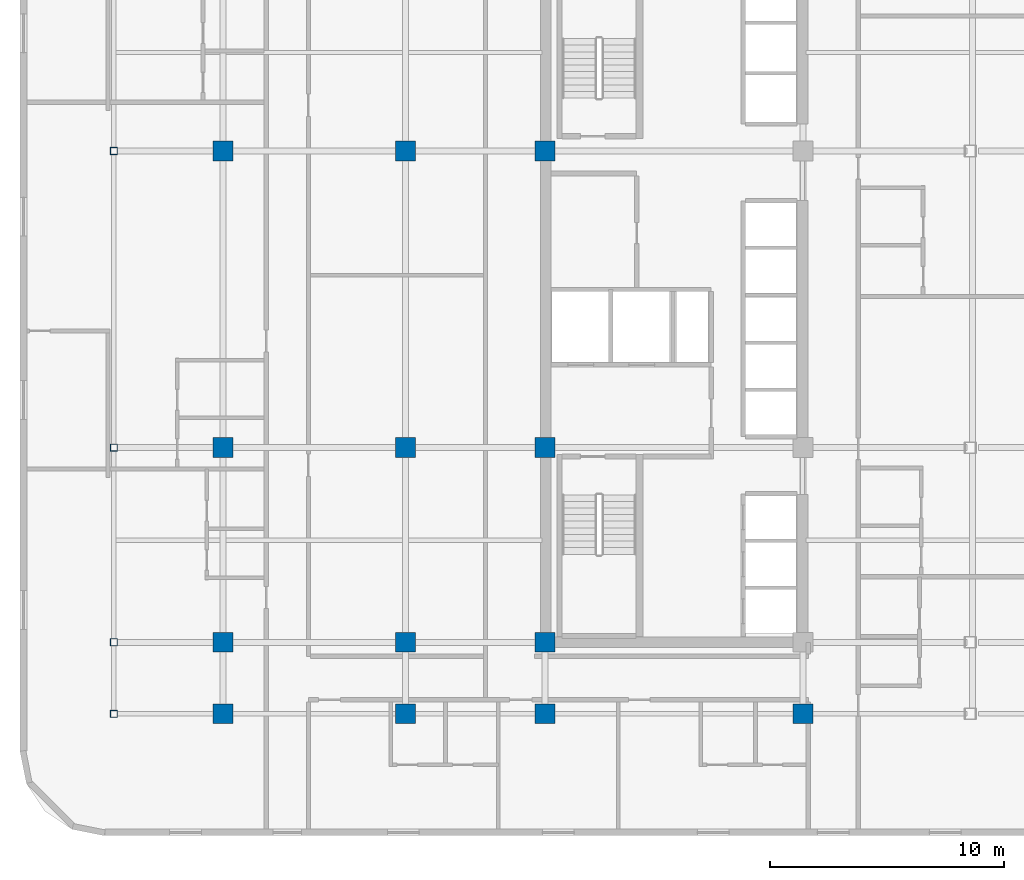
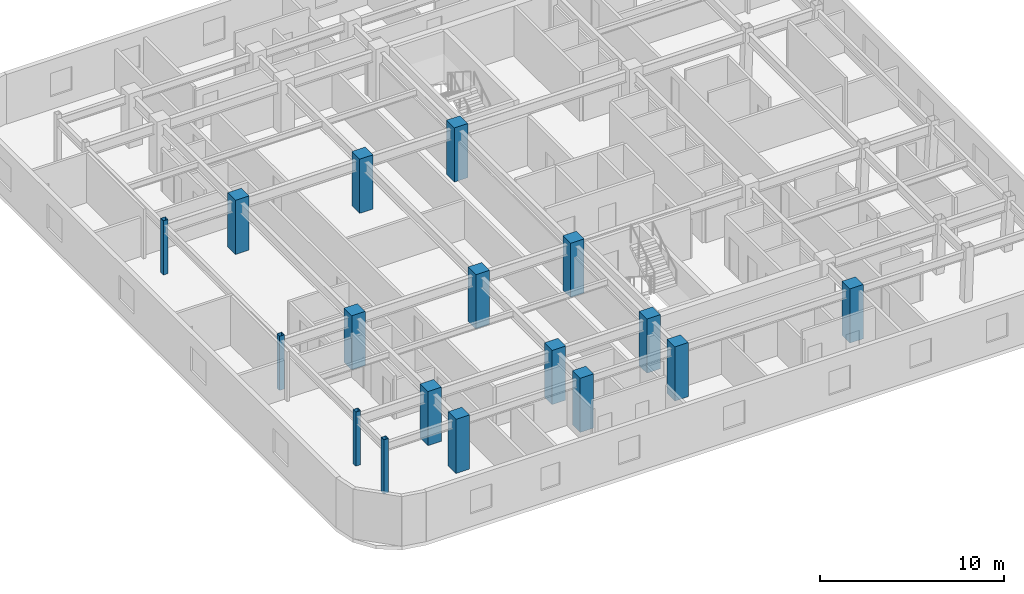
# One storey, part 1 of 11: 17 columns.
"""IFC4 building model written with IfcOpenShell, lengths in metres."""

from ifc_helpers import new_model, si_unit, direction, frame, origin, origin_2d, place, context, subcontext, project, spatial, rectangle, hollow_rectangle, extrude, material, material_profile, profile_set, type_object, element, save


model = new_model("IFC4")

# Units and contexts
model_context = context("Model", 3, precision=1e-05, world=origin(), true_north=direction((0.0, 1.0)))
body_context = subcontext(model_context, "Body", "Model", "MODEL_VIEW")
ifc_project = project(units=[si_unit("LENGTHUNIT", "METRE"), si_unit("AREAUNIT", "SQUARE_METRE"), si_unit("VOLUMEUNIT", "CUBIC_METRE"), si_unit("PLANEANGLEUNIT", "RADIAN"), si_unit("MASSUNIT", "GRAM", prefix="KILO")], contexts=[model_context])

# Site, building, storey
site_placement = place(None, origin())
site = spatial("IfcSite", under=ifc_project, at=site_placement, CompositionType="ELEMENT")
building_placement = place(site_placement, origin())
building = spatial("IfcBuilding", under=site, at=building_placement, Name="Ochreholt Gables", CompositionType="ELEMENT")
storey_placement = place(building_placement, frame((0.0, 0.0, 67.800048828125)))
storey = spatial("IfcBuildingStorey", under=building, at=storey_placement, Name="L17", CompositionType="ELEMENT", Elevation=67.800048828125)

# Columns
ifc_material_1 = material(Name="Steel CSA G40.21 350W", Category="steel")
ifc_material_profile_1 = material_profile(ifc_material_1, hollow_rectangle(XDim=0.304931640625, YDim=0.304931640625, WallThickness=0.0126953125, at=origin_2d()), Name="HSS305X305X13")
ifc_profile_set_1 = profile_set([ifc_material_profile_1], Name="Steel CSA G40.21 350W")
column_type_1 = type_object("IfcColumnType", Name="COL-HSS305-EXT", PredefinedType="COLUMN", material=ifc_profile_set_1)
for number, where, z_axis, x_axis, name in (
    (1, (5.800048828125, 6.199951171875, 0.0), (0.0, 0.0, 1.0), (1.0, 0.0, 0.0), "L17 Column WTY1"),
    (2, (5.800048828125, 9.25, 0.0), (0.0, 0.0, 1.0), (1.0, 0.0, 0.0), "L17 Column WTY2"),
    (3, (5.800048828125, 17.550048828125, 0.0), (0.0, 0.0, 1.0), (1.0, 0.0, 0.0), "L17 Column WTY3"),
    (4, (5.800048828125, 30.199951171875, 0.0), (0.0, 0.0, 1.0), (1.0, 0.0, 0.0), "L17 Column WTY4"),
):
    element("IfcColumn", number, at=place(storey_placement, frame(where, z_axis=z_axis, x_axis=x_axis)), inside=storey, type_object=column_type_1, Name=name, PredefinedType="COLUMN", context=body_context, shape_type="SweptSolid", body=[
        extrude(hollow_rectangle(XDim=0.304931640625, YDim=0.304931640625, WallThickness=0.0126953125, at=origin_2d()), origin(), (0.0, 0.0, 1.0), 3.599853515625),
    ])
ifc_material_2 = material(Name="Concrete 60 MPa", Category="concrete")
ifc_material_profile_2 = material_profile(ifc_material_2, rectangle(XDim=0.85009765625, YDim=0.85009765625, at=origin_2d()), Name="RC850X850")
ifc_profile_set_2 = profile_set([ifc_material_profile_2], Name="Concrete 60 MPa")
column_type_2 = type_object("IfcColumnType", Name="COL-RC850-EXT", PredefinedType="COLUMN", material=ifc_profile_set_2)
for number, where, z_axis, x_axis, name in (
    (5, (10.449951171875, 6.199951171875, 0.0), (0.0, 0.0, 1.0), (1.0, 0.0, 0.0), "L17 Column W2Y1"),
    (6, (18.25, 6.199951171875, 0.0), (0.0, 0.0, 1.0), (1.0, 0.0, 0.0), "L17 Column W3Y1"),
    (7, (24.199951171875, 6.199951171875, 0.0), (0.0, 0.0, 1.0), (1.0, 0.0, 0.0), "L17 Column C1Y1"),
    (8, (35.199951171875, 6.199951171875, 0.0), (0.0, 0.0, 1.0), (1.0, 0.0, 0.0), "L17 Column C2Y1"),
):
    element("IfcColumn", number, at=place(storey_placement, frame(where, z_axis=z_axis, x_axis=x_axis)), inside=storey, type_object=column_type_2, Name=name, PredefinedType="COLUMN", context=body_context, shape_type="SweptSolid", body=[
        extrude(rectangle(XDim=0.85009765625, YDim=0.85009765625, at=origin_2d()), origin(), (0.0, 0.0, 1.0), 3.599853515625),
    ])
ifc_material_profile_3 = material_profile(ifc_material_2, rectangle(XDim=0.85009765625, YDim=0.85009765625, at=origin_2d()), Name="RC850X850")
ifc_profile_set_3 = profile_set([ifc_material_profile_3], Name="Concrete 60 MPa")
column_type_3 = type_object("IfcColumnType", Name="COL-RC850-INT", PredefinedType="COLUMN", material=ifc_profile_set_3)
for number, where, z_axis, x_axis, name in (
    (9, (10.449951171875, 9.25, 0.0), (0.0, 0.0, 1.0), (1.0, 0.0, 0.0), "L17 Column W2Y2"),
    (10, (10.449951171875, 17.550048828125, 0.0), (0.0, 0.0, 1.0), (1.0, 0.0, 0.0), "L17 Column W2Y3"),
    (11, (10.449951171875, 30.199951171875, 0.0), (0.0, 0.0, 1.0), (1.0, 0.0, 0.0), "L17 Column W2Y4"),
    (12, (18.25, 9.25, 0.0), (0.0, 0.0, 1.0), (1.0, 0.0, 0.0), "L17 Column W3Y2"),
    (13, (18.25, 17.550048828125, 0.0), (0.0, 0.0, 1.0), (1.0, 0.0, 0.0), "L17 Column W3Y3"),
    (14, (18.25, 30.199951171875, 0.0), (0.0, 0.0, 1.0), (1.0, 0.0, 0.0), "L17 Column W3Y4"),
    (15, (24.199951171875, 9.25, 0.0), (0.0, 0.0, 1.0), (1.0, 0.0, 0.0), "L17 Column C1Y2"),
    (16, (24.199951171875, 17.550048828125, 0.0), (0.0, 0.0, 1.0), (1.0, 0.0, 0.0), "L17 Column C1Y3"),
    (17, (24.199951171875, 30.199951171875, 0.0), (0.0, 0.0, 1.0), (1.0, 0.0, 0.0), "L17 Column C1Y4"),
):
    element("IfcColumn", number, at=place(storey_placement, frame(where, z_axis=z_axis, x_axis=x_axis)), inside=storey, type_object=column_type_3, Name=name, PredefinedType="COLUMN", context=body_context, shape_type="SweptSolid", body=[
        extrude(rectangle(XDim=0.85009765625, YDim=0.85009765625, at=origin_2d()), origin(), (0.0, 0.0, 1.0), 3.599853515625),
    ])

save(model, "model.ifc")
